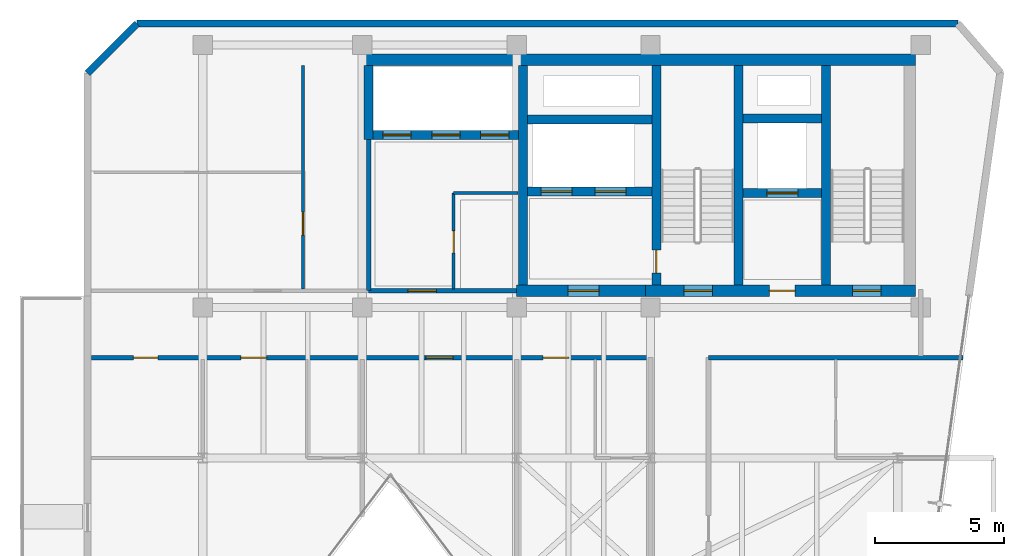
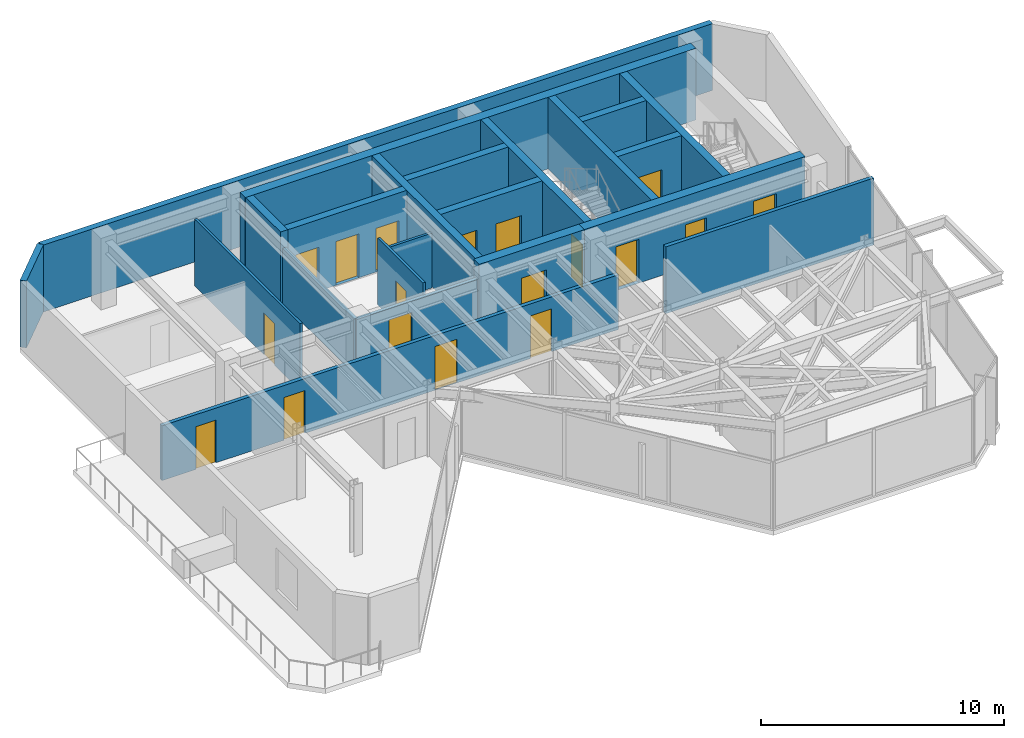
# One storey, part 13 of 16: 22 walls, 18 doors, 18 openings.
"""IFC4 building model written with IfcOpenShell, lengths in metres."""

from ifc_helpers import new_model, si_unit, direction, frame, frame_2d, origin, place, context, subcontext, project, spatial, rectangle, extrude, material, layer, layer_set, type_object, element, fill, save


model = new_model("IFC4")

# Units and contexts
model_context = context("Model", 3, precision=1e-05, world=origin(), true_north=direction((0.0, 1.0)))
body_context = subcontext(model_context, "Body", "Model", "MODEL_VIEW")
ifc_project = project(units=[si_unit("LENGTHUNIT", "METRE"), si_unit("AREAUNIT", "SQUARE_METRE"), si_unit("VOLUMEUNIT", "CUBIC_METRE"), si_unit("PLANEANGLEUNIT", "RADIAN"), si_unit("MASSUNIT", "GRAM", prefix="KILO")], contexts=[model_context])

# Site, building, storey
site_placement = place(None, origin())
site = spatial("IfcSite", under=ifc_project, at=site_placement, CompositionType="ELEMENT")
building_placement = place(site_placement, origin())
building = spatial("IfcBuilding", under=site, at=building_placement, Name="Kravanh Interchange Tower", CompositionType="ELEMENT")
storey_placement = place(building_placement, frame((0.0, 0.0, 296.699951171875)))
storey = spatial("IfcBuildingStorey", under=building, at=storey_placement, Name="L73", CompositionType="ELEMENT", Elevation=296.699951171875)

# Wall, opening, door
ifc_material_1 = material(Name="Double Acoustic Gypsum Board and Mineral Wool")
ifc_layer_1 = layer(ifc_material_1, 0.1201171875)
ifc_layer_set_1 = layer_set([ifc_layer_1], Name="Acoustic Office Drywall Partition 120mm")
wall_type_1 = type_object("IfcWallType", Name="Acoustic Office Drywall Partition 120mm", PredefinedType="PARTITIONING", material=ifc_layer_set_1)
wall_1_placement = place(storey_placement, frame((48.35009765625, 38.068115234375, 0.0), z_axis=(0.0, 0.0, 1.0), x_axis=(0.0, 1.0, 0.0)))
wall_1 = element("IfcWall", 1, at=wall_1_placement, inside=storey, type_object=wall_type_1, Name="L73 Interior Partition 2", PredefinedType="PARTITIONING", context=body_context, shape_type="SweptSolid", body=[
    extrude(rectangle(XDim=3.73193359375, YDim=0.1201171875, at=frame_2d((1.865966796875, 0.0))), origin(), (0.0, 0.0, 1.0), 3.364990234375),
])
opening_1_placement = place(wall_1_placement, frame((1.406982421875, 0.0, 0.0)))
opening_1 = element("IfcOpeningElement", 2, at=opening_1_placement, cuts=wall_1, Name="Opening D-85", PredefinedType="OPENING", context=body_context, shape_type="SweptSolid", body=[
    extrude(rectangle(XDim=0.85009765625, YDim=2.10009765625, at=frame_2d((0.425048828125, 1.050048828125))), frame((0.0, 0.070068359375, 0.0), z_axis=(0.0, -1.0, 0.0), x_axis=(1.0, 0.0, 0.0)), (0.0, 0.0, 1.0), 0.14013671875),
])
ifc_material_2 = material(Name="Engineered Teak Veneer Timber", Category="wood")
door_type_1 = type_object("IfcDoorType", Name="En-Suite Timber Door 850x2100", OperationType="NOTDEFINED", PredefinedType="DOOR", material=ifc_material_2)
door_1_placement = place(opening_1_placement, origin())
door_1 = element("IfcDoor", 3, at=door_1_placement, inside=storey, type_object=door_type_1, Name="L73 Core Electrical Closet Door", OperationType="SINGLE_SWING_LEFT", OverallHeight=2.10009765625, OverallWidth=0.85009765625, PredefinedType="DOOR", context=body_context, shape_type="SweptSolid", body=[
    extrude(rectangle(XDim=0.85009765625, YDim=2.10009765625, at=frame_2d((0.425048828125, 1.050048828125))), frame((0.0, 0.02490234375, 0.0), z_axis=(0.0, -1.0, 0.0), x_axis=(1.0, 0.0, 0.0)), (0.0, 0.0, 1.0), 0.050048828125),
])
fill(opening_1, door_1)

# Wall
wall_2_placement = place(storey_placement, frame((48.35009765625, 41.800048828125, 0.0), z_axis=(0.0, 0.0, 1.0), x_axis=(1.0, 0.0, 0.0)))
element("IfcWall", 4, at=wall_2_placement, inside=storey, type_object=wall_type_1, Name="L73 Interior Partition 3", PredefinedType="PARTITIONING", context=body_context, shape_type="SweptSolid", body=[
    extrude(rectangle(XDim=2.5, YDim=0.1201171875, at=frame_2d((1.25, 0.0))), origin(), (0.0, 0.0, 1.0), 2.754150390625),
])

# Wall, opening, door
wall_3_placement = place(storey_placement, frame((42.5, 38.068115234375, 0.0), z_axis=(0.0, 0.0, 1.0), x_axis=(0.0, 1.0, 0.0)))
wall_3 = element("IfcWall", 5, at=wall_3_placement, inside=storey, type_object=wall_type_1, Name="L73 Interior Partition 7", PredefinedType="PARTITIONING", context=body_context, shape_type="SweptSolid", body=[
    extrude(rectangle(XDim=8.681884765625, YDim=0.1201171875, at=frame_2d((4.3408203125, 0.0))), origin(), (0.0, 0.0, 1.0), 3.364990234375),
])
opening_2_placement = place(wall_3_placement, frame((2.09130859375, 0.0, 0.0)))
opening_2 = element("IfcOpeningElement", 6, at=opening_2_placement, cuts=wall_3, Name="Opening D-90", PredefinedType="OPENING", context=body_context, shape_type="SweptSolid", body=[
    extrude(rectangle(XDim=0.89990234375, YDim=2.10009765625, at=frame_2d((0.449951171875, 1.050048828125))), frame((0.0, 0.070068359375, 0.0), z_axis=(0.0, -1.0, 0.0), x_axis=(1.0, 0.0, 0.0)), (0.0, 0.0, 1.0), 0.14013671875),
])
ifc_material_3 = material(Name="Painted Solid-Core Timber", Category="wood")
door_type_2 = type_object("IfcDoorType", Name="Service Room Door 900x2100", OperationType="NOTDEFINED", PredefinedType="DOOR", material=ifc_material_3)
door_2_placement = place(opening_2_placement, origin())
door_2 = element("IfcDoor", 7, at=door_2_placement, inside=storey, type_object=door_type_2, Name="L73 Housekeeping Inner Door", OperationType="SINGLE_SWING_RIGHT", OverallHeight=2.10009765625, OverallWidth=0.89990234375, PredefinedType="DOOR", context=body_context, shape_type="SweptSolid", body=[
    extrude(rectangle(XDim=0.89990234375, YDim=2.10009765625, at=frame_2d((0.449951171875, 1.050048828125))), frame((0.0, 0.02490234375, 0.0), z_axis=(0.0, -1.0, 0.0), x_axis=(1.0, 0.0, 0.0)), (0.0, 0.0, 1.0), 0.050048828125),
])
fill(opening_2, door_2)

# Walls
ifc_material_4 = material(Name="Concrete C60/75", Category="concrete")
ifc_layer_2 = layer(ifc_material_4, 0.35009765625)
ifc_layer_set_2 = layer_set([ifc_layer_2], Name="Core Shear Wall Concrete C60/75 350mm")
wall_type_2 = type_object("IfcWallType", Name="Core Shear Wall Concrete C60/75 350mm", PredefinedType="SHEAR", material=ifc_layer_set_2)
for number, where, z_axis, x_axis, name in (
    (8, (62.824951171875, 38.22509765625, 0.0), (0.0, 0.0, 1.0), (0.0, 1.0, 0.0), "L73 Stair ST1 West Shear Wall"),
    (9, (59.425048828125, 38.22509765625, 0.0), (0.0, 0.0, 1.0), (0.0, 1.0, 0.0), "L73 Stair ST2 East Shear Wall"),
):
    element("IfcWall", number, at=place(storey_placement, frame(where, z_axis=z_axis, x_axis=x_axis)), inside=storey, type_object=wall_type_2, Name=name, PredefinedType="SHEAR", context=body_context, shape_type="SweptSolid", body=[
        extrude(rectangle(XDim=8.52490234375, YDim=0.35009765625, at=frame_2d((4.262451171875, 0.0))), origin(), (0.0, 0.0, 1.0), 3.60009765625),
    ])

# Wall, opening, door
wall_4_placement = place(storey_placement, frame((56.22509765625, 38.22509765625, 0.0), z_axis=(0.0, 0.0, 1.0), x_axis=(0.0, 1.0, 0.0)))
wall_4 = element("IfcWall", 10, at=wall_4_placement, inside=storey, type_object=wall_type_2, Name="L73 Stair ST2 West Shear Wall", PredefinedType="SHEAR", context=body_context, shape_type="SweptSolid", body=[
    extrude(rectangle(XDim=8.52490234375, YDim=0.35009765625, at=frame_2d((4.262451171875, 0.0))), origin(), (0.0, 0.0, 1.0), 3.60009765625),
])
opening_3_placement = place(wall_4_placement, frame((0.455078125, 0.0, 0.0)))
opening_3 = element("IfcOpeningElement", 11, at=opening_3_placement, cuts=wall_4, Name="Opening D-STAIR-90", PredefinedType="OPENING", context=body_context, shape_type="SweptSolid", body=[
    extrude(rectangle(XDim=0.89990234375, YDim=2.14990234375, at=frame_2d((0.449951171875, 1.074951171875))), frame((0.0, 0.18505859375, 0.0), z_axis=(0.0, -1.0, 0.0), x_axis=(1.0, 0.0, 0.0)), (0.0, 0.0, 1.0), 0.3701171875),
])
ifc_material_5 = material(Name="Structural Steel S355", Category="steel")
door_type_3 = type_object("IfcDoorType", Name="Fire-Rated Stair Lobby Door 900x2150", OperationType="NOTDEFINED", PredefinedType="DOOR", material=ifc_material_5)
door_3_placement = place(opening_3_placement, origin())
door_3 = element("IfcDoor", 12, at=door_3_placement, inside=storey, type_object=door_type_3, Name="L73 Firefighting Lobby to Stair ST2 Door", OperationType="SINGLE_SWING_LEFT", OverallHeight=2.14990234375, OverallWidth=0.89990234375, PredefinedType="DOOR", context=body_context, shape_type="SweptSolid", body=[
    extrude(rectangle(XDim=0.89990234375, YDim=2.14990234375, at=frame_2d((0.449951171875, 1.074951171875))), frame((0.0, 0.02490234375, 0.0), z_axis=(0.0, -1.0, 0.0), x_axis=(1.0, 0.0, 0.0)), (0.0, 0.0, 1.0), 0.050048828125),
])
fill(opening_3, door_3)

wall_5_placement = place(storey_placement, frame((59.60009765625, 41.800048828125, 0.0), z_axis=(0.0, 0.0, 1.0), x_axis=(1.0, 0.0, 0.0)))
wall_5 = element("IfcWall", 13, at=wall_5_placement, inside=storey, type_object=wall_type_2, Name="L73 Service Lift Shaft South Wall", PredefinedType="SHEAR", context=body_context, shape_type="SweptSolid", body=[
    extrude(rectangle(XDim=3.0498046875, YDim=0.35009765625, at=frame_2d((1.52490234375, 0.0))), origin(), (0.0, 0.0, 1.0), 3.60009765625),
])
opening_4_placement = place(wall_5_placement, frame((0.919921875, 0.0, 0.0)))
opening_4 = element("IfcOpeningElement", 14, at=opening_4_placement, cuts=wall_5, Name="Opening LD02", PredefinedType="OPENING", context=body_context, shape_type="SweptSolid", body=[
    extrude(rectangle(XDim=1.199951171875, YDim=2.199951171875, at=frame_2d((0.60009765625, 1.10009765625))), frame((0.0, 0.18505859375, 0.0), z_axis=(0.0, -1.0, 0.0), x_axis=(1.0, 0.0, 0.0)), (0.0, 0.0, 1.0), 0.3701171875),
])
ifc_material_6 = material(Name="Stainless Steel 316", Category="steel")
door_type_4 = type_object("IfcDoorType", Name="Fire and Service Lift Sliding Landing Door 1200x2200", OperationType="DOUBLE_DOOR_SLIDING", PredefinedType="DOOR", material=ifc_material_6)
door_4_placement = place(opening_4_placement, origin())
door_4 = element("IfcDoor", 15, at=door_4_placement, inside=storey, type_object=door_type_4, Name="L73 Lift LS-01 Landing Door", OperationType="DOUBLE_DOOR_SLIDING", OverallHeight=2.199951171875, OverallWidth=1.199951171875, PredefinedType="DOOR", context=body_context, shape_type="SweptSolid", body=[
    extrude(rectangle(XDim=1.199951171875, YDim=2.199951171875, at=frame_2d((0.60009765625, 1.10009765625))), frame((0.0, 0.02490234375, 0.0), z_axis=(0.0, -1.0, 0.0), x_axis=(1.0, 0.0, 0.0)), (0.0, 0.0, 1.0), 0.050048828125),
])
fill(opening_4, door_4)

# Wall
wall_6_placement = place(storey_placement, frame((59.60009765625, 44.699951171875, 0.0), z_axis=(0.0, 0.0, 1.0), x_axis=(1.0, 0.0, 0.0)))
element("IfcWall", 16, at=wall_6_placement, inside=storey, type_object=wall_type_2, Name="L73 Service Lift Shaft North Wall", PredefinedType="SHEAR", context=body_context, shape_type="SweptSolid", body=[
    extrude(rectangle(XDim=3.0498046875, YDim=0.35009765625, at=frame_2d((1.52490234375, 0.0))), origin(), (0.0, 0.0, 1.0), 3.60009765625),
])

# Wall, openings, doors
wall_7_placement = place(storey_placement, frame((51.22509765625, 41.85009765625, 0.0), z_axis=(0.0, 0.0, 1.0), x_axis=(1.0, 0.0, 0.0)))
wall_7 = element("IfcWall", 17, at=wall_7_placement, inside=storey, type_object=wall_type_2, Name="L73 Fire Lift Shaft South Wall", PredefinedType="SHEAR", context=body_context, shape_type="SweptSolid", body=[
    extrude(rectangle(XDim=4.824951171875, YDim=0.35009765625, at=frame_2d((2.41259765625, 0.0))), origin(), (0.0, 0.0, 1.0), 3.60009765625),
])
opening_5_placement = place(wall_7_placement, frame((0.52490234375, 0.0, 0.0)))
opening_5 = element("IfcOpeningElement", 18, at=opening_5_placement, cuts=wall_7, Name="Opening LD02", PredefinedType="OPENING", context=body_context, shape_type="SweptSolid", body=[
    extrude(rectangle(XDim=1.199951171875, YDim=2.199951171875, at=frame_2d((0.60009765625, 1.10009765625))), frame((0.0, 0.18505859375, 0.0), z_axis=(0.0, -1.0, 0.0), x_axis=(1.0, 0.0, 0.0)), (0.0, 0.0, 1.0), 0.3701171875),
])
opening_6_placement = place(wall_7_placement, frame((2.625, 0.0, 0.0)))
opening_6 = element("IfcOpeningElement", 19, at=opening_6_placement, cuts=wall_7, Name="Opening LD02", PredefinedType="OPENING", context=body_context, shape_type="SweptSolid", body=[
    extrude(rectangle(XDim=1.199951171875, YDim=2.199951171875, at=frame_2d((0.60009765625, 1.10009765625))), frame((0.0, 0.18505859375, 0.0), z_axis=(0.0, -1.0, 0.0), x_axis=(1.0, 0.0, 0.0)), (0.0, 0.0, 1.0), 0.3701171875),
])
door_5_placement = place(opening_5_placement, origin())
door_5 = element("IfcDoor", 20, at=door_5_placement, inside=storey, type_object=door_type_4, Name="L73 Lift FSAE-01 Landing Door", OperationType="DOUBLE_DOOR_SLIDING", OverallHeight=2.199951171875, OverallWidth=1.199951171875, PredefinedType="DOOR", context=body_context, shape_type="SweptSolid", body=[
    extrude(rectangle(XDim=1.199951171875, YDim=2.199951171875, at=frame_2d((0.60009765625, 1.10009765625))), frame((0.0, 0.02490234375, 0.0), z_axis=(0.0, -1.0, 0.0), x_axis=(1.0, 0.0, 0.0)), (0.0, 0.0, 1.0), 0.050048828125),
])
fill(opening_5, door_5)
door_6_placement = place(opening_6_placement, origin())
door_6 = element("IfcDoor", 21, at=door_6_placement, inside=storey, type_object=door_type_4, Name="L73 Lift FSAE-02 Landing Door", OperationType="DOUBLE_DOOR_SLIDING", OverallHeight=2.199951171875, OverallWidth=1.199951171875, PredefinedType="DOOR", context=body_context, shape_type="SweptSolid", body=[
    extrude(rectangle(XDim=1.199951171875, YDim=2.199951171875, at=frame_2d((0.60009765625, 1.10009765625))), frame((0.0, 0.02490234375, 0.0), z_axis=(0.0, -1.0, 0.0), x_axis=(1.0, 0.0, 0.0)), (0.0, 0.0, 1.0), 0.050048828125),
])
fill(opening_6, door_6)

# Walls
wall_8_placement = place(storey_placement, frame((51.22509765625, 44.64990234375, 0.0), z_axis=(0.0, 0.0, 1.0), x_axis=(1.0, 0.0, 0.0)))
element("IfcWall", 22, at=wall_8_placement, inside=storey, type_object=wall_type_2, Name="L73 Fire Lift Shaft North Wall", PredefinedType="SHEAR", context=body_context, shape_type="SweptSolid", body=[
    extrude(rectangle(XDim=4.824951171875, YDim=0.35009765625, at=frame_2d((2.41259765625, 0.0))), origin(), (0.0, 0.0, 1.0), 3.60009765625),
])
wall_9_placement = place(storey_placement, frame((51.050048828125, 38.22509765625, 0.0), z_axis=(0.0, 0.0, 1.0), x_axis=(0.0, 1.0, 0.0)))
element("IfcWall", 23, at=wall_9_placement, inside=storey, type_object=wall_type_2, Name="L73 Firefighting Lobby West Wall", PredefinedType="SHEAR", context=body_context, shape_type="SweptSolid", body=[
    extrude(rectangle(XDim=8.52490234375, YDim=0.35009765625, at=frame_2d((4.262451171875, 0.0))), origin(), (0.0, 0.0, 1.0), 3.60009765625),
])

# Wall, openings, doors
wall_10_placement = place(storey_placement, frame((45.22509765625, 44.050048828125, 0.0), z_axis=(0.0, 0.0, 1.0), x_axis=(1.0, 0.0, 0.0)))
wall_10 = element("IfcWall", 24, at=wall_10_placement, inside=storey, type_object=wall_type_2, Name="L73 High-Rise Lift Shaft South Wall", PredefinedType="SHEAR", context=body_context, shape_type="SweptSolid", body=[
    extrude(rectangle(XDim=5.64990234375, YDim=0.35009765625, at=frame_2d((2.824951171875, 0.0))), origin(), (0.0, 0.0, 1.0), 3.60009765625),
])
opening_7_placement = place(wall_10_placement, frame((0.375, 0.0, 0.0)))
opening_7 = element("IfcOpeningElement", 25, at=opening_7_placement, cuts=wall_10, Name="Opening LD01", PredefinedType="OPENING", context=body_context, shape_type="SweptSolid", body=[
    extrude(rectangle(XDim=1.10009765625, YDim=2.199951171875, at=frame_2d((0.550048828125, 1.10009765625))), frame((0.0, 0.18505859375, 0.0), z_axis=(0.0, -1.0, 0.0), x_axis=(1.0, 0.0, 0.0)), (0.0, 0.0, 1.0), 0.3701171875),
])
opening_8_placement = place(wall_10_placement, frame((2.27490234375, 0.0, 0.0)))
opening_8 = element("IfcOpeningElement", 26, at=opening_8_placement, cuts=wall_10, Name="Opening LD01", PredefinedType="OPENING", context=body_context, shape_type="SweptSolid", body=[
    extrude(rectangle(XDim=1.10009765625, YDim=2.199951171875, at=frame_2d((0.550048828125, 1.10009765625))), frame((0.0, 0.18505859375, 0.0), z_axis=(0.0, -1.0, 0.0), x_axis=(1.0, 0.0, 0.0)), (0.0, 0.0, 1.0), 0.3701171875),
])
opening_9_placement = place(wall_10_placement, frame((4.175048828125, 0.0, 0.0)))
opening_9 = element("IfcOpeningElement", 27, at=opening_9_placement, cuts=wall_10, Name="Opening LD01", PredefinedType="OPENING", context=body_context, shape_type="SweptSolid", body=[
    extrude(rectangle(XDim=1.10009765625, YDim=2.199951171875, at=frame_2d((0.550048828125, 1.10009765625))), frame((0.0, 0.18505859375, 0.0), z_axis=(0.0, -1.0, 0.0), x_axis=(1.0, 0.0, 0.0)), (0.0, 0.0, 1.0), 0.3701171875),
])
ifc_material_7 = material(Name="Stainless Steel 304", Category="steel")
door_type_5 = type_object("IfcDoorType", Name="Passenger Lift Sliding Landing Door 1100x2200", OperationType="DOUBLE_DOOR_SLIDING", PredefinedType="DOOR", material=ifc_material_7)
door_7_placement = place(opening_7_placement, origin())
door_7 = element("IfcDoor", 28, at=door_7_placement, inside=storey, type_object=door_type_5, Name="L73 Lift LP-H1 Landing Door", OperationType="DOUBLE_DOOR_SLIDING", OverallHeight=2.199951171875, OverallWidth=1.10009765625, PredefinedType="DOOR", context=body_context, shape_type="SweptSolid", body=[
    extrude(rectangle(XDim=1.10009765625, YDim=2.199951171875, at=frame_2d((0.550048828125, 1.10009765625))), frame((0.0, 0.02490234375, 0.0), z_axis=(0.0, -1.0, 0.0), x_axis=(1.0, 0.0, 0.0)), (0.0, 0.0, 1.0), 0.050048828125),
])
fill(opening_7, door_7)
door_8_placement = place(opening_8_placement, origin())
door_8 = element("IfcDoor", 29, at=door_8_placement, inside=storey, type_object=door_type_5, Name="L73 Lift LP-H2 Landing Door", OperationType="DOUBLE_DOOR_SLIDING", OverallHeight=2.199951171875, OverallWidth=1.10009765625, PredefinedType="DOOR", context=body_context, shape_type="SweptSolid", body=[
    extrude(rectangle(XDim=1.10009765625, YDim=2.199951171875, at=frame_2d((0.550048828125, 1.10009765625))), frame((0.0, 0.02490234375, 0.0), z_axis=(0.0, -1.0, 0.0), x_axis=(1.0, 0.0, 0.0)), (0.0, 0.0, 1.0), 0.050048828125),
])
fill(opening_8, door_8)
door_9_placement = place(opening_9_placement, origin())
door_9 = element("IfcDoor", 30, at=door_9_placement, inside=storey, type_object=door_type_5, Name="L73 Lift LP-H3 Landing Door", OperationType="DOUBLE_DOOR_SLIDING", OverallHeight=2.199951171875, OverallWidth=1.10009765625, PredefinedType="DOOR", context=body_context, shape_type="SweptSolid", body=[
    extrude(rectangle(XDim=1.10009765625, YDim=2.199951171875, at=frame_2d((0.550048828125, 1.10009765625))), frame((0.0, 0.02490234375, 0.0), z_axis=(0.0, -1.0, 0.0), x_axis=(1.0, 0.0, 0.0)), (0.0, 0.0, 1.0), 0.050048828125),
])
fill(opening_9, door_9)

# Walls
wall_11_placement = place(storey_placement, frame((45.050048828125, 43.875, 0.0), z_axis=(0.0, 0.0, 1.0), x_axis=(0.0, 1.0, 0.0)))
element("IfcWall", 31, at=wall_11_placement, inside=storey, type_object=wall_type_2, Name="L73 High-Rise Lift Shaft West Wall", PredefinedType="SHEAR", context=body_context, shape_type="SweptSolid", body=[
    extrude(rectangle(XDim=2.875, YDim=0.35009765625, at=frame_2d((1.4375, 0.0))), origin(), (0.0, 0.0, 1.0), 3.60009765625),
])
ifc_material_8 = material(Name="Concrete C60/75", Category="concrete")
ifc_layer_3 = layer(ifc_material_8, 0.449951171875)
ifc_layer_set_3 = layer_set([ifc_layer_3], Name="Core Shear Wall Concrete C60/75 450mm")
wall_type_3 = type_object("IfcWallType", Name="Core Shear Wall Concrete C60/75 450mm", PredefinedType="SHEAR", material=ifc_layer_set_3)
wall_12_placement = place(storey_placement, frame((44.85009765625, 46.97509765625, 0.0), z_axis=(0.0, 0.0, 1.0), x_axis=(1.0, 0.0, 0.0)))
element("IfcWall", 32, at=wall_12_placement, inside=storey, type_object=wall_type_3, Name="L73 North Core Shear Wall", PredefinedType="SHEAR", context=body_context, shape_type="SweptSolid", body=[
    extrude(rectangle(XDim=21.449951171875, YDim=0.449951171875, at=frame_2d((10.72509765625, 0.0))), origin(), (0.0, 0.0, 1.0), 3.60009765625),
])

# Wall, openings, doors
wall_13_placement = place(storey_placement, frame((55.800048828125, 38.0, 0.0), z_axis=(0.0, 0.0, 1.0), x_axis=(1.0, 0.0, 0.0)))
wall_13 = element("IfcWall", 33, at=wall_13_placement, inside=storey, type_object=wall_type_3, Name="L73 East Core South Shear Wall", PredefinedType="SHEAR", context=body_context, shape_type="SweptSolid", body=[
    extrude(rectangle(XDim=10.5, YDim=0.449951171875, at=frame_2d((5.25, 0.0))), origin(), (0.0, 0.0, 1.0), 3.60009765625),
])
opening_10_placement = place(wall_13_placement, frame((1.5, 0.0, 0.0)))
opening_10 = element("IfcOpeningElement", 34, at=opening_10_placement, cuts=wall_13, Name="Opening D-STAIR-110", PredefinedType="OPENING", context=body_context, shape_type="SweptSolid", body=[
    extrude(rectangle(XDim=1.10009765625, YDim=2.199951171875, at=frame_2d((0.550048828125, 1.10009765625))), frame((0.0, 0.23486328125, 0.0), z_axis=(0.0, -1.0, 0.0), x_axis=(1.0, 0.0, 0.0)), (0.0, 0.0, 1.0), 0.469970703125),
])
opening_11_placement = place(wall_13_placement, frame((4.820068359375, 0.0, 0.0)))
opening_11 = element("IfcOpeningElement", 35, at=opening_11_placement, cuts=wall_13, Name="Opening D-HOTEL-100", PredefinedType="OPENING", context=body_context, shape_type="SweptSolid", body=[
    extrude(rectangle(XDim=1.0, YDim=2.14990234375, at=frame_2d((0.5, 1.074951171875))), frame((0.0, 0.23486328125, 0.0), z_axis=(0.0, -1.0, 0.0), x_axis=(1.0, 0.0, 0.0)), (0.0, 0.0, 1.0), 0.469970703125),
])
opening_12_placement = place(wall_13_placement, frame((8.050048828125, 0.0, 0.0)))
opening_12 = element("IfcOpeningElement", 36, at=opening_12_placement, cuts=wall_13, Name="Opening D-STAIR-110", PredefinedType="OPENING", context=body_context, shape_type="SweptSolid", body=[
    extrude(rectangle(XDim=1.10009765625, YDim=2.199951171875, at=frame_2d((0.550048828125, 1.10009765625))), frame((0.0, 0.23486328125, 0.0), z_axis=(0.0, -1.0, 0.0), x_axis=(1.0, 0.0, 0.0)), (0.0, 0.0, 1.0), 0.469970703125),
])
ifc_material_9 = material(Name="Structural Steel S355", Category="steel")
door_type_6 = type_object("IfcDoorType", Name="Fire-Rated Exit Stair Door 1100x2200", OperationType="NOTDEFINED", PredefinedType="DOOR", material=ifc_material_9)
door_10_placement = place(opening_10_placement, origin())
door_10 = element("IfcDoor", 37, at=door_10_placement, inside=storey, type_object=door_type_6, Name="L73 Exit Stair ST2 Door", OperationType="SINGLE_SWING_RIGHT", OverallHeight=2.199951171875, OverallWidth=1.10009765625, PredefinedType="DOOR", context=body_context, shape_type="SweptSolid", body=[
    extrude(rectangle(XDim=1.10009765625, YDim=2.199951171875, at=frame_2d((0.550048828125, 1.10009765625))), frame((0.0, 0.02490234375, 0.0), z_axis=(0.0, -1.0, 0.0), x_axis=(1.0, 0.0, 0.0)), (0.0, 0.0, 1.0), 0.050048828125),
])
fill(opening_10, door_10)
door_11_placement = place(opening_12_placement, origin())
door_11 = element("IfcDoor", 38, at=door_11_placement, inside=storey, type_object=door_type_6, Name="L73 Exit Stair ST1 Door", OperationType="SINGLE_SWING_RIGHT", OverallHeight=2.199951171875, OverallWidth=1.10009765625, PredefinedType="DOOR", context=body_context, shape_type="SweptSolid", body=[
    extrude(rectangle(XDim=1.10009765625, YDim=2.199951171875, at=frame_2d((0.550048828125, 1.10009765625))), frame((0.0, 0.02490234375, 0.0), z_axis=(0.0, -1.0, 0.0), x_axis=(1.0, 0.0, 0.0)), (0.0, 0.0, 1.0), 0.050048828125),
])
fill(opening_12, door_11)
ifc_material_10 = material(Name="Fire-Rated Solid Timber Leaf", Category="wood")
door_type_7 = type_object("IfcDoorType", Name="Fire-Rated Suite Entrance Door 1000x2150", OperationType="NOTDEFINED", PredefinedType="DOOR", material=ifc_material_10)
door_12_placement = place(opening_11_placement, origin())
door_12 = element("IfcDoor", 39, at=door_12_placement, inside=storey, type_object=door_type_7, Name="L73 Service Lift Lobby Door", OperationType="SINGLE_SWING_RIGHT", OverallHeight=2.14990234375, OverallWidth=1.0, PredefinedType="DOOR", context=body_context, shape_type="SweptSolid", body=[
    extrude(rectangle(XDim=1.0, YDim=2.14990234375, at=frame_2d((0.5, 1.074951171875))), frame((0.0, 0.02490234375, 0.0), z_axis=(0.0, -1.0, 0.0), x_axis=(1.0, 0.0, 0.0)), (0.0, 0.0, 1.0), 0.050048828125),
])
fill(opening_11, door_12)

# Wall, opening, door
wall_14_placement = place(storey_placement, frame((50.800048828125, 38.0, 0.0), z_axis=(0.0, 0.0, 1.0), x_axis=(1.0, 0.0, 0.0)))
wall_14 = element("IfcWall", 40, at=wall_14_placement, inside=storey, type_object=wall_type_3, Name="L73 Firefighting Lobby South Shear Wall", PredefinedType="SHEAR", context=body_context, shape_type="SweptSolid", body=[
    extrude(rectangle(XDim=5.0, YDim=0.449951171875, at=frame_2d((2.5, 0.0))), origin(), (0.0, 0.0, 1.0), 3.60009765625),
])
opening_13_placement = place(wall_14_placement, frame((2.0, 0.0, 0.0)))
opening_13 = element("IfcOpeningElement", 41, at=opening_13_placement, cuts=wall_14, Name="Opening D-FSAE-120", PredefinedType="OPENING", context=body_context, shape_type="SweptSolid", body=[
    extrude(rectangle(XDim=1.199951171875, YDim=2.199951171875, at=frame_2d((0.60009765625, 1.10009765625))), frame((0.0, 0.23486328125, 0.0), z_axis=(0.0, -1.0, 0.0), x_axis=(1.0, 0.0, 0.0)), (0.0, 0.0, 1.0), 0.469970703125),
])
ifc_material_11 = material(Name="Structural Steel S355", Category="steel")
door_type_8 = type_object("IfcDoorType", Name="Fire-Rated Refuge and FSAE Door 1200x2200", OperationType="NOTDEFINED", PredefinedType="DOOR", material=ifc_material_11)
door_13_placement = place(opening_13_placement, origin())
door_13 = element("IfcDoor", 42, at=door_13_placement, inside=storey, type_object=door_type_8, Name="L73 Firefighting Lobby Corridor Door", OperationType="SINGLE_SWING_RIGHT", OverallHeight=2.199951171875, OverallWidth=1.199951171875, PredefinedType="DOOR", context=body_context, shape_type="SweptSolid", body=[
    extrude(rectangle(XDim=1.199951171875, YDim=2.199951171875, at=frame_2d((0.60009765625, 1.10009765625))), frame((0.0, 0.02490234375, 0.0), z_axis=(0.0, -1.0, 0.0), x_axis=(1.0, 0.0, 0.0)), (0.0, 0.0, 1.0), 0.050048828125),
])
fill(opening_13, door_13)

# Walls
ifc_material_12 = material(Name="Insulated Precast Concrete C40/50 with Bronze Cladding", Category="concrete")
ifc_layer_4 = layer(ifc_material_12, 0.280029296875)
ifc_layer_set_4 = layer_set([ifc_layer_4], Name="Exterior Insulated Concrete C40/50 Bronze Spandrel Wall 280mm")
wall_type_4 = type_object("IfcWallType", Name="Exterior Insulated Concrete C40/50 Bronze Spandrel Wall 280mm", PredefinedType="STANDARD", material=ifc_layer_set_4)
wall_15_placement = place(storey_placement, frame((34.1201171875, 46.4501953125, 0.0), z_axis=(0.0, 0.0, 1.0), x_axis=(0.707106781187, 0.707106781187, 0.0)))
element("IfcWall", 43, at=wall_15_placement, inside=storey, type_object=wall_type_4, Name="L73 Exterior Wall 3", PredefinedType="STANDARD", context=body_context, shape_type="SweptSolid", body=[
    extrude(rectangle(XDim=2.72900390625, YDim=0.280029296875, at=frame_2d((1.364501953125, 0.0))), origin(), (0.0, 0.0, 1.0), 3.364990234375),
])
wall_16_placement = place(storey_placement, frame((36.0498046875, 48.3798828125, 0.0), z_axis=(0.0, 0.0, 1.0), x_axis=(1.0, 0.0, 0.0)))
element("IfcWall", 44, at=wall_16_placement, inside=storey, type_object=wall_type_4, Name="L73 Exterior Wall 4", PredefinedType="STANDARD", context=body_context, shape_type="SweptSolid", body=[
    extrude(rectangle(XDim=31.8955078125, YDim=0.280029296875, at=frame_2d((15.94775390625, 0.0))), origin(), (0.0, 0.0, 1.0), 3.364990234375),
])

# Wall, opening, door
ifc_material_13 = material(Name="Autoclaved Aerated Concrete C30/37 Blockwork", Category="masonry")
ifc_layer_5 = layer(ifc_material_13, 0.179931640625)
ifc_layer_set_5 = layer_set([ifc_layer_5], Name="Fire-Rated Lobby and Corridor Wall Concrete C30/37 180mm")
wall_type_5 = type_object("IfcWallType", Name="Fire-Rated Lobby and Corridor Wall Concrete C30/37 180mm", PredefinedType="STANDARD", material=ifc_layer_set_5)
wall_17_placement = place(storey_placement, frame((45.050048828125, 38.0, 0.0), z_axis=(0.0, 0.0, 1.0), x_axis=(1.0, 0.0, 0.0)))
wall_17 = element("IfcWall", 45, at=wall_17_placement, inside=storey, type_object=wall_type_5, Name="L73 High-Rise Lift Lobby Wall 1", PredefinedType="STANDARD", context=body_context, shape_type="SweptSolid", body=[
    extrude(rectangle(XDim=5.75, YDim=0.179931640625, at=frame_2d((2.875, 0.0))), origin(), (0.0, 0.0, 1.0), 2.754150390625),
])
opening_14_placement = place(wall_17_placement, frame((1.52490234375, 0.0, 0.0)))
opening_14 = element("IfcOpeningElement", 46, at=opening_14_placement, cuts=wall_17, Name="Opening D-SHAFT-110", PredefinedType="OPENING", context=body_context, shape_type="SweptSolid", body=[
    extrude(rectangle(XDim=1.10009765625, YDim=2.199951171875, at=frame_2d((0.550048828125, 1.10009765625))), frame((0.0, 0.10009765625, 0.0), z_axis=(0.0, -1.0, 0.0), x_axis=(1.0, 0.0, 0.0)), (0.0, 0.0, 1.0), 0.199951171875),
])
ifc_material_14 = material(Name="Fire-Rated Composite Timber Leaf", Category="wood")
door_type_9 = type_object("IfcDoorType", Name="Fire-Rated Core Support Door 1100x2200", OperationType="NOTDEFINED", PredefinedType="DOOR", material=ifc_material_14)
door_14_placement = place(opening_14_placement, origin())
door_14 = element("IfcDoor", 47, at=door_14_placement, inside=storey, type_object=door_type_9, Name="L73 High-Rise Lift Lobby Door", OperationType="SINGLE_SWING_RIGHT", OverallHeight=2.199951171875, OverallWidth=1.10009765625, PredefinedType="DOOR", context=body_context, shape_type="SweptSolid", body=[
    extrude(rectangle(XDim=1.10009765625, YDim=2.199951171875, at=frame_2d((0.550048828125, 1.10009765625))), frame((0.0, 0.02490234375, 0.0), z_axis=(0.0, -1.0, 0.0), x_axis=(1.0, 0.0, 0.0)), (0.0, 0.0, 1.0), 0.050048828125),
])
fill(opening_14, door_14)

# Wall
wall_18_placement = place(storey_placement, frame((45.050048828125, 38.0, 0.0), z_axis=(0.0, 0.0, 1.0), x_axis=(0.0, 1.0, 0.0)))
element("IfcWall", 48, at=wall_18_placement, inside=storey, type_object=wall_type_5, Name="L73 Interior Partition 4", PredefinedType="STANDARD", context=body_context, shape_type="SweptSolid", body=[
    extrude(rectangle(XDim=5.875, YDim=0.179931640625, at=frame_2d((2.9375, 0.0))), origin(), (0.0, 0.0, 1.0), 2.754150390625),
])

# Wall, openings, doors
wall_19_placement = place(storey_placement, frame((34.284912109375, 35.39990234375, 0.0), z_axis=(0.0, 0.0, 1.0), x_axis=(1.0, 0.0, 0.0)))
wall_19 = element("IfcWall", 49, at=wall_19_placement, inside=storey, type_object=wall_type_5, Name="L73 Interior Partition 9", PredefinedType="STANDARD", context=body_context, shape_type="SweptSolid", body=[
    extrude(rectangle(XDim=21.715087890625, YDim=0.179931640625, at=frame_2d((10.857421875, 0.0))), origin(), (0.0, 0.0, 1.0), 2.754150390625),
])
opening_15_placement = place(wall_19_placement, frame((1.619873046875, 0.0, 0.0)))
opening_15 = element("IfcOpeningElement", 50, at=opening_15_placement, cuts=wall_19, Name="Opening D-95", PredefinedType="OPENING", context=body_context, shape_type="SweptSolid", body=[
    extrude(rectangle(XDim=0.949951171875, YDim=2.14990234375, at=frame_2d((0.47509765625, 1.074951171875))), frame((0.0, 0.10009765625, 0.0), z_axis=(0.0, -1.0, 0.0), x_axis=(1.0, 0.0, 0.0)), (0.0, 0.0, 1.0), 0.199951171875),
])
opening_16_placement = place(wall_19_placement, frame((5.7998046875, 0.0, 0.0)))
opening_16 = element("IfcOpeningElement", 51, at=opening_16_placement, cuts=wall_19, Name="Opening D-HOTEL-100", PredefinedType="OPENING", context=body_context, shape_type="SweptSolid", body=[
    extrude(rectangle(XDim=1.0, YDim=2.14990234375, at=frame_2d((0.5, 1.074951171875))), frame((0.0, 0.10009765625, 0.0), z_axis=(0.0, -1.0, 0.0), x_axis=(1.0, 0.0, 0.0)), (0.0, 0.0, 1.0), 0.199951171875),
])
opening_17_placement = place(wall_19_placement, frame((12.989990234375, 0.0, 0.0)))
opening_17 = element("IfcOpeningElement", 52, at=opening_17_placement, cuts=wall_19, Name="Opening D-105", PredefinedType="OPENING", context=body_context, shape_type="SweptSolid", body=[
    extrude(rectangle(XDim=1.050048828125, YDim=2.199951171875, at=frame_2d((0.52490234375, 1.10009765625))), frame((0.0, 0.10009765625, 0.0), z_axis=(0.0, -1.0, 0.0), x_axis=(1.0, 0.0, 0.0)), (0.0, 0.0, 1.0), 0.199951171875),
])
opening_18_placement = place(wall_19_placement, frame((17.5400390625, 0.0, 0.0)))
opening_18 = element("IfcOpeningElement", 53, at=opening_18_placement, cuts=wall_19, Name="Opening D-HOTEL-100", PredefinedType="OPENING", context=body_context, shape_type="SweptSolid", body=[
    extrude(rectangle(XDim=1.0, YDim=2.14990234375, at=frame_2d((0.5, 1.074951171875))), frame((0.0, 0.10009765625, 0.0), z_axis=(0.0, -1.0, 0.0), x_axis=(1.0, 0.0, 0.0)), (0.0, 0.0, 1.0), 0.199951171875),
])
ifc_material_15 = material(Name="Laminate Solid-Core Timber", Category="wood")
door_type_10 = type_object("IfcDoorType", Name="Accessible Restroom Door 950x2150", OperationType="NOTDEFINED", PredefinedType="DOOR", material=ifc_material_15)
door_15_placement = place(opening_15_placement, origin())
door_15 = element("IfcDoor", 54, at=door_15_placement, inside=storey, type_object=door_type_10, Name="L73 Accessible WC Door", OperationType="SINGLE_SWING_LEFT", OverallHeight=2.14990234375, OverallWidth=0.949951171875, PredefinedType="DOOR", context=body_context, shape_type="SweptSolid", body=[
    extrude(rectangle(XDim=0.949951171875, YDim=2.14990234375, at=frame_2d((0.47509765625, 1.074951171875))), frame((0.0, 0.02490234375, 0.0), z_axis=(0.0, -1.0, 0.0), x_axis=(1.0, 0.0, 0.0)), (0.0, 0.0, 1.0), 0.050048828125),
])
fill(opening_15, door_15)
door_16_placement = place(opening_16_placement, origin())
door_16 = element("IfcDoor", 55, at=door_16_placement, inside=storey, type_object=door_type_7, Name="L73 Hotel Guest Room 7A Entrance Door", OperationType="SINGLE_SWING_RIGHT", OverallHeight=2.14990234375, OverallWidth=1.0, PredefinedType="DOOR", context=body_context, shape_type="SweptSolid", body=[
    extrude(rectangle(XDim=1.0, YDim=2.14990234375, at=frame_2d((0.5, 1.074951171875))), frame((0.0, 0.02490234375, 0.0), z_axis=(0.0, -1.0, 0.0), x_axis=(1.0, 0.0, 0.0)), (0.0, 0.0, 1.0), 0.050048828125),
])
fill(opening_16, door_16)
door_17_placement = place(opening_18_placement, origin())
door_17 = element("IfcDoor", 56, at=door_17_placement, inside=storey, type_object=door_type_7, Name="L73 Junior Hotel Suite Entrance Door", OperationType="SINGLE_SWING_LEFT", OverallHeight=2.14990234375, OverallWidth=1.0, PredefinedType="DOOR", context=body_context, shape_type="SweptSolid", body=[
    extrude(rectangle(XDim=1.0, YDim=2.14990234375, at=frame_2d((0.5, 1.074951171875))), frame((0.0, 0.02490234375, 0.0), z_axis=(0.0, -1.0, 0.0), x_axis=(1.0, 0.0, 0.0)), (0.0, 0.0, 1.0), 0.050048828125),
])
fill(opening_18, door_17)
ifc_material_16 = material(Name="Acoustic Glazed Oak and Aluminium", Category="aluminium")
door_type_11 = type_object("IfcDoorType", Name="Office Workplace Door 1050x2200", OperationType="NOTDEFINED", PredefinedType="DOOR", material=ifc_material_16)
door_18_placement = place(opening_17_placement, origin())
door_18 = element("IfcDoor", 57, at=door_18_placement, inside=storey, type_object=door_type_11, Name="L73 Wellness Salon Lounge Door", OperationType="SINGLE_SWING_RIGHT", OverallHeight=2.199951171875, OverallWidth=1.050048828125, PredefinedType="DOOR", context=body_context, shape_type="SweptSolid", body=[
    extrude(rectangle(XDim=1.050048828125, YDim=2.199951171875, at=frame_2d((0.52490234375, 1.10009765625))), frame((0.0, 0.02490234375, 0.0), z_axis=(0.0, -1.0, 0.0), x_axis=(1.0, 0.0, 0.0)), (0.0, 0.0, 1.0), 0.050048828125),
])
fill(opening_17, door_18)

# Wall
wall_20_placement = place(storey_placement, frame((58.25, 35.39990234375, 0.0), z_axis=(0.0, 0.0, 1.0), x_axis=(1.0, 0.0, 0.0)))
element("IfcWall", 58, at=wall_20_placement, inside=storey, type_object=wall_type_5, Name="L73 Interior Partition 10", PredefinedType="STANDARD", context=body_context, shape_type="SweptSolid", body=[
    extrude(rectangle(XDim=9.893798828125, YDim=0.179931640625, at=frame_2d((4.94677734375, 0.0))), origin(), (0.0, 0.0, 1.0), 3.364990234375),
])

save(model, "model.ifc")
